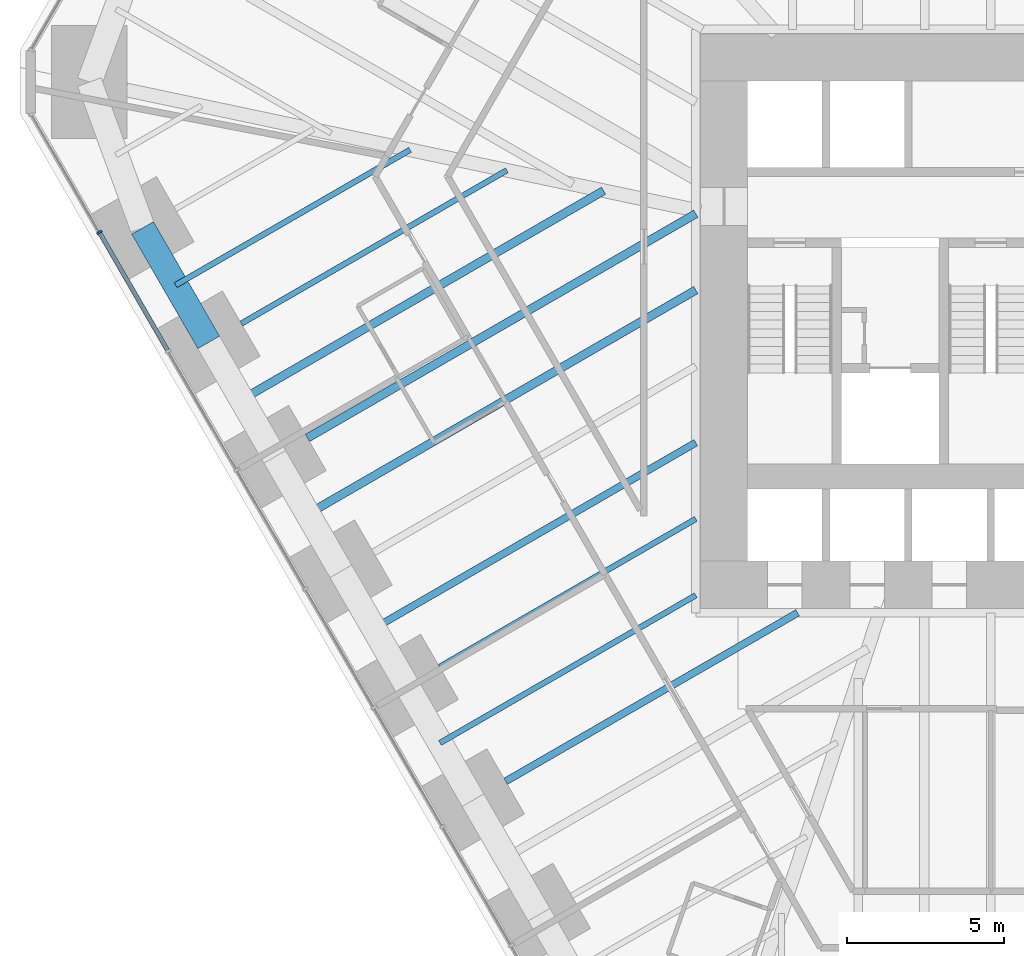
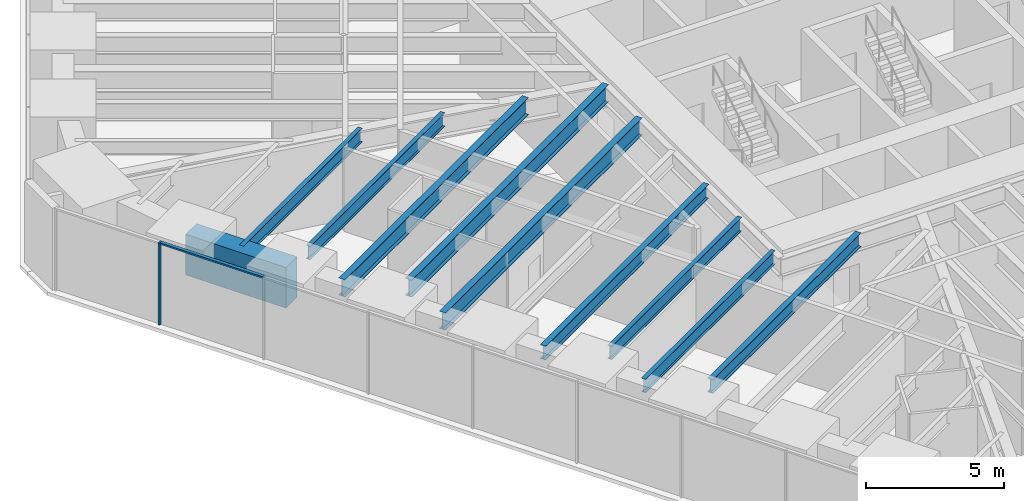
# One storey, part 3 of 17: 10 beams, 2 members, 1 element without a shape of its own.
"""IFC4 building model written with IfcOpenShell, lengths in metres."""

from ifc_helpers import new_model, si_unit, direction, frame, origin, origin_2d, place, context, subcontext, project, spatial, rectangle, i_section, extrude, material, material_profile, profile_set, type_object, element, aggregate, save


model = new_model("IFC4")

# Units and contexts
model_context = context("Model", 3, precision=1e-05, world=origin(), true_north=direction((0.0, 1.0)))
body_context = subcontext(model_context, "Body", "Model", "MODEL_VIEW")
ifc_project = project(units=[si_unit("LENGTHUNIT", "METRE"), si_unit("AREAUNIT", "SQUARE_METRE"), si_unit("VOLUMEUNIT", "CUBIC_METRE"), si_unit("PLANEANGLEUNIT", "RADIAN"), si_unit("MASSUNIT", "GRAM", prefix="KILO")], contexts=[model_context])

# Site, building, storey
site_placement = place(None, origin())
site = spatial("IfcSite", under=ifc_project, at=site_placement, CompositionType="ELEMENT")
building_placement = place(site_placement, origin())
building = spatial("IfcBuilding", under=site, at=building_placement, Name="Sandreach Pilgrim Tower", CompositionType="ELEMENT")
storey_placement = place(building_placement, frame((0.0, 0.0, 38.199951171875)))
storey = spatial("IfcBuildingStorey", under=building, at=storey_placement, Name="L08", CompositionType="ELEMENT", Elevation=38.199951171875)

# Curtain wall, members
ifc_material_1 = material(Name="Aluminium framed curtain wall", Category="aluminium")
curtain_wall_type = type_object("IfcCurtainWallType", Name="Hostel tower curtain wall", PredefinedType="NOTDEFINED", material=ifc_material_1)
curtain_wall_placement = place(storey_placement, origin())
curtain_wall = element("IfcCurtainWall", 1, at=curtain_wall_placement, inside=storey, type_object=curtain_wall_type, Name="CW-1 L08 SW", PredefinedType="NOTDEFINED")
ifc_material_2 = material(Name="Aluminium extrusion", Category="aluminium")
ifc_material_profile_1 = material_profile(ifc_material_2, rectangle(XDim=0.06494140625, YDim=0.179931640625, at=origin_2d()), Name="CW-1M 65X180")
ifc_profile_set_1 = profile_set([ifc_material_profile_1], Name="Aluminium extrusion")
member_type_1 = type_object("IfcMemberType", Name="CW-1 mullion", PredefinedType="MULLION", material=ifc_profile_set_1)
member_1_placement = place(storey_placement, frame((-28.390380859375, 1.2763671875, 0.0), z_axis=(0.0, 0.0, 1.0), x_axis=(-0.5, 0.866025403784, 0.0)))
member_1 = element("IfcMember", 2, at=member_1_placement, type_object=member_type_1, Name="CW-1 mullion 9", PredefinedType="MULLION", context=body_context, shape_type="SweptSolid", body=[
    extrude(rectangle(XDim=0.06494140625, YDim=0.179931640625, at=origin_2d()), origin(), (0.0, 0.0, 1.0), 3.64013671875),
])
ifc_material_3 = material(Name="Aluminium extrusion", Category="aluminium")
ifc_material_profile_2 = material_profile(ifc_material_3, rectangle(XDim=0.139892578125, YDim=0.070068359375, at=origin_2d()), Name="CW-1T 140X70")
ifc_profile_set_2 = profile_set([ifc_material_profile_2], Name="Aluminium extrusion")
member_type_2 = type_object("IfcMemberType", Name="CW-1 transom", PredefinedType="USERDEFINED", material=ifc_profile_set_2)
member_2_placement = place(storey_placement, frame((-26.220947265625, -2.4814453125, 3.60498046875), z_axis=(-0.500016891966, 0.866015650984, 0.0), x_axis=(-0.866015650984, -0.500016891966, 0.0)))
member_2 = element("IfcMember", 3, at=member_2_placement, type_object=member_type_2, Name="CW-1 head transom 8", ObjectType="TRANSOM", PredefinedType="USERDEFINED", context=body_context, shape_type="SweptSolid", body=[
    extrude(rectangle(XDim=0.139892578125, YDim=0.070068359375, at=origin_2d()), origin(), (0.0, 0.0, 1.0), 4.306396484375),
])
aggregate(curtain_wall, [member_1, member_2])

# Beams
ifc_material_4 = material(Name="Steel ASTM A992 Grade 50", Category="steel")
ifc_material_profile_3 = material_profile(ifc_material_4, i_section(OverallWidth=0.1787109375, OverallDepth=0.60205078125, WebThickness=0.010986328125, FlangeThickness=0.014892578125, at=origin_2d()), Name="W24X62")
ifc_profile_set_3 = profile_set([ifc_material_profile_3], Name="Steel ASTM A992 Grade 50")
beam_type_1 = type_object("IfcBeamType", Name="Floor beam W24X62", PredefinedType="BEAM", material=ifc_profile_set_3)
beam_1_placement = place(storey_placement, frame((-17.557373046875, -12.5673828125, 3.339111328125), z_axis=(0.866020839647, 0.500007905235, 0.0), x_axis=(-0.500007905235, 0.866020839647, 0.0)))
element("IfcBeam", 4, at=beam_1_placement, inside=storey, type_object=beam_type_1, Name="BM L08 F30", PredefinedType="BEAM", context=body_context, shape_type="SweptSolid", body=[
    extrude(i_section(OverallWidth=0.1787109375, OverallDepth=0.60205078125, WebThickness=0.010986328125, FlangeThickness=0.014892578125, at=origin_2d()), origin(), (0.0, 0.0, 1.0), 9.427001953125),
])
beam_2_placement = place(storey_placement, frame((-23.8720703125, -1.629638671875, 3.339111328125), z_axis=(0.866025751498, 0.499999397742, 0.0), x_axis=(-0.499999397742, 0.866025751498, 0.0)))
element("IfcBeam", 5, at=beam_2_placement, inside=storey, type_object=beam_type_1, Name="BM L08 F33", PredefinedType="BEAM", context=body_context, shape_type="SweptSolid", body=[
    extrude(i_section(OverallWidth=0.1787109375, OverallDepth=0.60205078125, WebThickness=0.010986328125, FlangeThickness=0.014892578125, at=origin_2d()), origin(), (0.0, 0.0, 1.0), 9.767578125),
])
beam_3_placement = place(storey_placement, frame((-17.5439453125, -14.990234375, 3.339111328125), z_axis=(0.86602359238, 0.500003137431, 0.0), x_axis=(-0.500003137431, 0.86602359238, 0.0)))
element("IfcBeam", 6, at=beam_3_placement, inside=storey, type_object=beam_type_1, Name="BM L08 FM29", PredefinedType="BEAM", context=body_context, shape_type="SweptSolid", body=[
    extrude(i_section(OverallWidth=0.1787109375, OverallDepth=0.60205078125, WebThickness=0.010986328125, FlangeThickness=0.014892578125, at=origin_2d()), origin(), (0.0, 0.0, 1.0), 9.41162109375),
])
beam_4_placement = place(storey_placement, frame((-25.9638671875, -0.40673828125, 3.339111328125), z_axis=(0.866020100198, 0.500009185969, 0.0), x_axis=(-0.500009185969, 0.866020100198, 0.0)))
element("IfcBeam", 7, at=beam_4_placement, inside=storey, type_object=beam_type_1, Name="BM L08 FM33", PredefinedType="BEAM", context=body_context, shape_type="SweptSolid", body=[
    extrude(i_section(OverallWidth=0.1787109375, OverallDepth=0.60205078125, WebThickness=0.010986328125, FlangeThickness=0.014892578125, at=origin_2d()), origin(), (0.0, 0.0, 1.0), 8.623291015625),
])
ifc_material_5 = material(Name="Steel ASTM A992 Grade 50", Category="steel")
ifc_material_profile_4 = material_profile(ifc_material_5, i_section(OverallWidth=0.23046875, OverallDepth=0.6171875, WebThickness=0.01318359375, FlangeThickness=0.022216796875, at=origin_2d()), Name="W24X94")
ifc_profile_set_4 = profile_set([ifc_material_profile_4], Name="Steel ASTM A992 Grade 50")
beam_type_2 = type_object("IfcBeamType", Name="Floor beam W24X94", PredefinedType="BEAM", material=ifc_profile_set_4)
beam_5_placement = place(storey_placement, frame((-15.452392578125, -16.213134765625, 3.33154296875), z_axis=(0.866028486751, 0.499994660107, 0.0), x_axis=(-0.499994660107, 0.866028486751, 0.0)))
element("IfcBeam", 8, at=beam_5_placement, inside=storey, type_object=beam_type_2, Name="BM L08 F29", PredefinedType="BEAM", context=body_context, shape_type="SweptSolid", body=[
    extrude(i_section(OverallWidth=0.23046875, OverallDepth=0.6171875, WebThickness=0.01318359375, FlangeThickness=0.022216796875, at=origin_2d()), origin(), (0.0, 0.0, 1.0), 10.73974609375),
])
beam_6_placement = place(storey_placement, frame((-19.64892578125, -11.34423828125, 3.33154296875), z_axis=(0.866032123691, 0.4999883606, 0.0), x_axis=(-0.4999883606, 0.866032123691, 0.0)))
element("IfcBeam", 9, at=beam_6_placement, inside=storey, type_object=beam_type_2, Name="BM L08 FM30", PredefinedType="BEAM", context=body_context, shape_type="SweptSolid", body=[
    extrude(i_section(OverallWidth=0.23046875, OverallDepth=0.6171875, WebThickness=0.01318359375, FlangeThickness=0.022216796875, at=origin_2d()), origin(), (0.0, 0.0, 1.0), 11.842041015625),
])
ifc_material_6 = material(Name="Steel ASTM A992 Grade 50", Category="steel")
ifc_material_profile_5 = material_profile(ifc_material_6, i_section(OverallWidth=0.2666015625, OverallDepth=0.761962890625, WebThickness=0.014404296875, FlangeThickness=0.021484375, at=origin_2d()), Name="W30X116")
ifc_profile_set_5 = profile_set([ifc_material_profile_5], Name="Steel ASTM A992 Grade 50")
beam_type_3 = type_object("IfcBeamType", Name="Floor beam W30X116", PredefinedType="BEAM", material=ifc_profile_set_5)
beam_7_placement = place(storey_placement, frame((-21.76708984375, -5.275390625, 3.259033203125), z_axis=(0.866024247282, 0.500002003116, 0.0), x_axis=(-0.500002003116, 0.866024247282, 0.0)))
element("IfcBeam", 10, at=beam_7_placement, inside=storey, type_object=beam_type_3, Name="BM L08 F32", PredefinedType="BEAM", context=body_context, shape_type="SweptSolid", body=[
    extrude(i_section(OverallWidth=0.2666015625, OverallDepth=0.761962890625, WebThickness=0.014404296875, FlangeThickness=0.021484375, at=origin_2d()), origin(), (0.0, 0.0, 1.0), 14.2880859375),
])
beam_8_placement = place(storey_placement, frame((-21.75390625, -7.698486328125, 3.259033203125), z_axis=(0.866022935671, 0.500004274874, 0.0), x_axis=(-0.500004274874, 0.866022935671, 0.0)))
element("IfcBeam", 11, at=beam_8_placement, inside=storey, type_object=beam_type_3, Name="BM L08 FM31", PredefinedType="BEAM", context=body_context, shape_type="SweptSolid", body=[
    extrude(i_section(OverallWidth=0.2666015625, OverallDepth=0.761962890625, WebThickness=0.014404296875, FlangeThickness=0.021484375, at=origin_2d()), origin(), (0.0, 0.0, 1.0), 14.27294921875),
])
beam_9_placement = place(storey_placement, frame((-23.85888671875, -4.052490234375, 3.259033203125), z_axis=(0.866029213426, 0.499993401449, 0.0), x_axis=(-0.499993401449, 0.866029213426, 0.0)))
element("IfcBeam", 12, at=beam_9_placement, inside=storey, type_object=beam_type_3, Name="BM L08 FM32", PredefinedType="BEAM", context=body_context, shape_type="SweptSolid", body=[
    extrude(i_section(OverallWidth=0.2666015625, OverallDepth=0.761962890625, WebThickness=0.014404296875, FlangeThickness=0.021484375, at=origin_2d()), origin(), (0.0, 0.0, 1.0), 13.311767578125),
])
ifc_material_7 = material(Name="Concrete 10000 psi", Category="concrete")
ifc_material_profile_6 = material_profile(ifc_material_7, rectangle(XDim=0.800048828125, YDim=1.800048828125, at=origin_2d()), Name="RC800X1800")
ifc_profile_set_6 = profile_set([ifc_material_profile_6], Name="Concrete 10000 psi")
beam_type_4 = type_object("IfcBeamType", Name="Spandrel beam RC800X1800", PredefinedType="SPANDREL", material=ifc_profile_set_6)
beam_10_placement = place(storey_placement, frame((-24.911376953125, -2.229736328125, 2.739990234375), z_axis=(-0.499993523031, 0.866029143232, 0.0), x_axis=(-0.866029143232, -0.499993523031, 0.0)))
element("IfcBeam", 13, at=beam_10_placement, inside=storey, type_object=beam_type_4, Name="BM L08 SP33", PredefinedType="SPANDREL", context=body_context, shape_type="SweptSolid", body=[
    extrude(rectangle(XDim=0.800048828125, YDim=1.800048828125, at=origin_2d()), origin(), (0.0, 0.0, 1.0), 4.2099609375),
])

save(model, "model.ifc")
